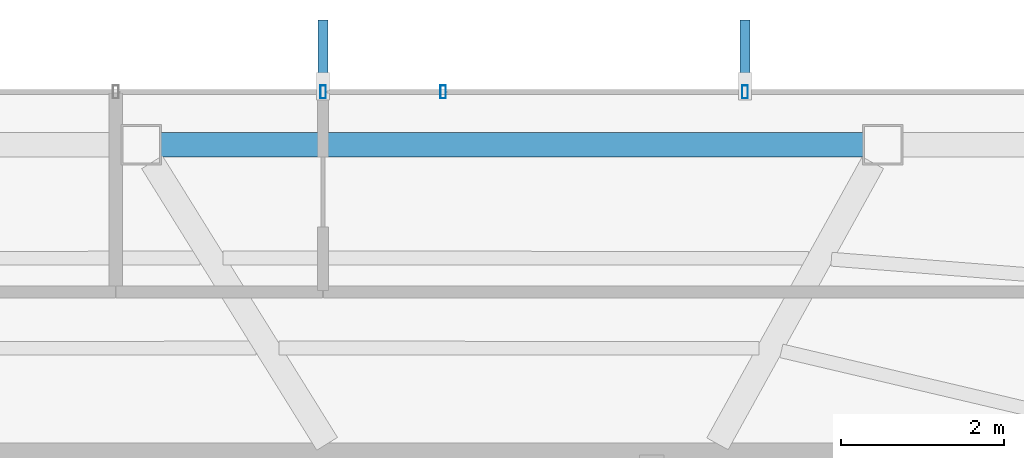
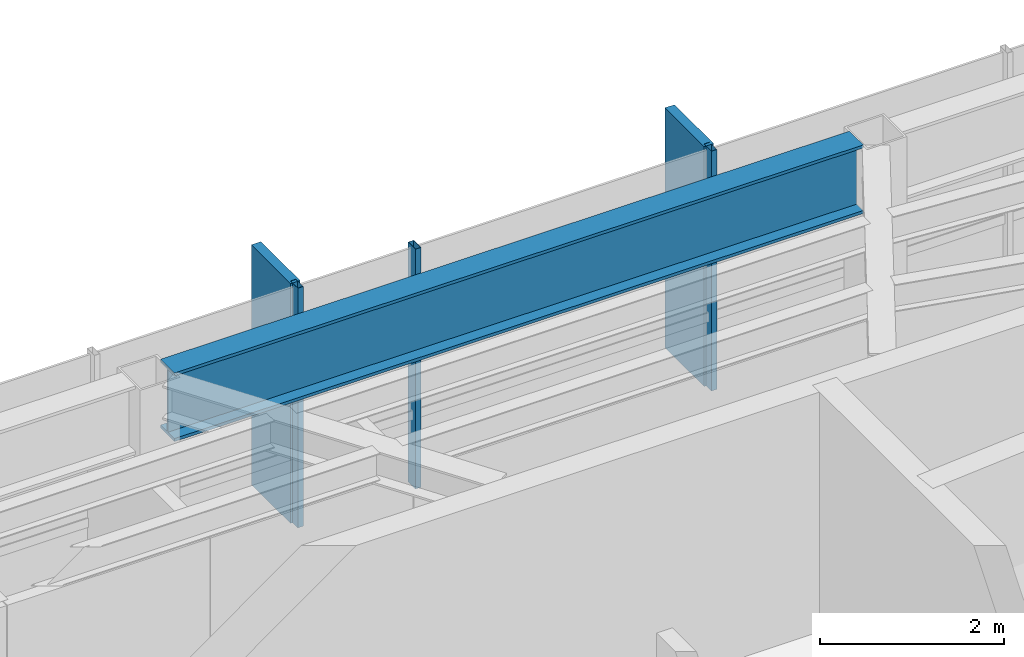
# One storey, part 14 of 25: 5 members, 1 beam, 1 element without a shape of its own.
"""IFC4 building model written with IfcOpenShell, lengths in metres."""

import ifcopenshell
import ifcopenshell.guid

model = None  # the IFC model being written
_history = None  # IfcOwnerHistory: only IFC2X3 demands one
_inside = {}  # id of a spatial element -> (the spatial element, [elements in it])
_under = {}  # id of a project, library or spatial element -> (it, [spatial elements below it])
_declared = {}  # id of a project -> (the project, [libraries it declares])
_typed = {}  # id of a type object -> (the type object, [elements of that type])
_made_of = {}  # id of a material, layer set ... -> (it, [elements and type objects made of it])


def new_model(schema):
    """Start an empty IFC model of exactly this schema.

    Asked for "IFC4X3", IfcOpenShell would pick the latest addendum, in which some entities
    have other attributes; the version numbers below select the first issue.
    IFC2X3 requires an IfcOwnerHistory on every rooted entity: one is made here for all.
    """
    global model, _history
    if schema == "IFC4X3":
        model = ifcopenshell.file(schema_version=(4, 3, 0, 0))
    else:
        model = ifcopenshell.file(schema=schema)
    _inside.clear()
    _under.clear()
    _declared.clear()
    _typed.clear()
    _made_of.clear()
    _history = None
    if model.schema == "IFC2X3":
        org = make("IfcOrganization", Name="unknown")
        user = make(
            "IfcPersonAndOrganization",
            ThePerson=make("IfcPerson", FamilyName="unknown"),
            TheOrganization=org,
        )
        app = make(
            "IfcApplication",
            ApplicationDeveloper=org,
            Version="unknown",
            ApplicationFullName="unknown",
            ApplicationIdentifier="unknown",
        )
        _history = make(
            "IfcOwnerHistory",
            OwningUser=user,
            OwningApplication=app,
            ChangeAction="ADDED",
            CreationDate=0,
        )
    return model


def make(cls, **values):
    """One entity of the class cls with the attributes given. An attribute that is None is left unset."""
    return model.create_entity(
        cls, **{name: value for name, value in values.items() if value is not None}
    )


def rooted(cls, **values):
    """An entity with a GlobalId (a new one), such as an element, a storey or a relation."""
    return make(cls, GlobalId=ifcopenshell.guid.new(), OwnerHistory=_history, **values)


def si_unit(unit_type, name, prefix=None):
    """IfcSIUnit, for example si_unit("LENGTHUNIT", "METRE", prefix="MILLI")."""
    return make("IfcSIUnit", UnitType=unit_type, Prefix=prefix, Name=name)


def assignment(units):
    """IfcUnitAssignment: the units of a project."""
    return None if units is None else make("IfcUnitAssignment", Units=units)


def point(xyz):
    """IfcCartesianPoint."""
    return None if xyz is None else make("IfcCartesianPoint", Coordinates=xyz)


def direction(xyz):
    """IfcDirection."""
    return None if xyz is None else make("IfcDirection", DirectionRatios=xyz)


def frame(location, z_axis=None, x_axis=None):
    """IfcAxis2Placement3D, a coordinate frame: its origin and axes. An axis left out is left unset."""
    return make(
        "IfcAxis2Placement3D",
        Location=point(location),
        Axis=direction(z_axis),
        RefDirection=direction(x_axis),
    )


def frame_2d(location, x_axis=None):
    """IfcAxis2Placement2D, a coordinate frame in the plane: its origin and x axis."""
    return make(
        "IfcAxis2Placement2D", Location=point(location), RefDirection=direction(x_axis)
    )


def origin():
    """The frame at (0, 0, 0) with its axes left unset."""
    return frame((0.0, 0.0, 0.0))


def origin_2d():
    """The frame at (0, 0) in the plane with its x axis left unset."""
    return frame_2d((0.0, 0.0))


def place(relative_to, where):
    """IfcLocalPlacement: puts the frame where relative to a parent placement (None: the world)."""
    return make(
        "IfcLocalPlacement", PlacementRelTo=relative_to, RelativePlacement=where
    )


def context(
    kind, dimensions, precision=None, world=None, true_north=None, identifier=None
):
    """IfcGeometricRepresentationContext, for example the 3D "Model" context."""
    return make(
        "IfcGeometricRepresentationContext",
        ContextIdentifier=identifier,
        ContextType=kind,
        CoordinateSpaceDimension=dimensions,
        Precision=precision,
        WorldCoordinateSystem=world,
        TrueNorth=true_north,
    )


def subcontext(parent, identifier, kind, view, scale=None):
    """IfcGeometricRepresentationSubContext, for example "Body" below "Model"."""
    return make(
        "IfcGeometricRepresentationSubContext",
        ContextIdentifier=identifier,
        ContextType=kind,
        ParentContext=parent,
        TargetScale=scale,
        TargetView=view,
    )


def project(units=None, contexts=None):
    """IfcProject with its units and contexts."""
    return rooted(
        "IfcProject",
        Name="project",
        RepresentationContexts=contexts,
        UnitsInContext=assignment(units),
    )


def spatial(cls, under=None, at=None, **own):
    """A site, building, storey or space (cls), placed at a placement, below another one or the project."""
    s = rooted(cls, ObjectPlacement=at, **own)
    if under is not None:
        _under.setdefault(under.id(), (under, []))[1].append(s)
    return s


def profile(cls, at=None, kind="AREA", **sizes):
    """A parametric profile (cls). Its sizes go by their IFC names, for example OverallWidth=200.0."""
    return make(cls, ProfileType=kind, Position=at, **sizes)


def rectangle(**sizes):
    """IfcRectangleProfileDef."""
    return profile("IfcRectangleProfileDef", **sizes)


def hollow_rectangle(**sizes):
    """IfcRectangleHollowProfileDef."""
    return profile("IfcRectangleHollowProfileDef", **sizes)


def i_section(**sizes):
    """IfcIShapeProfileDef."""
    return profile("IfcIShapeProfileDef", **sizes)


def extrude(swept, where, along, depth):
    """IfcExtrudedAreaSolid: the profile swept, set in the frame where, extruded along a direction by depth."""
    return make(
        "IfcExtrudedAreaSolid",
        SweptArea=swept,
        Position=where,
        ExtrudedDirection=direction(along),
        Depth=depth,
    )


def shape(context_of_items, identifier, shape_type, items):
    """IfcShapeRepresentation: the items that make up one representation, for example the "Body"."""
    return make(
        "IfcShapeRepresentation",
        ContextOfItems=context_of_items,
        RepresentationIdentifier=identifier,
        RepresentationType=shape_type,
        Items=items,
    )


def material(Name=None, Category=None):
    """IfcMaterial."""
    return make("IfcMaterial", Name=Name, Category=Category)


def layer(
    of_material, thickness, ventilated=None, Name=None, Category=None, Priority=None
):
    """IfcMaterialLayer: one layer of a wall or slab, of a material (None: an air gap)."""
    return make(
        "IfcMaterialLayer",
        Material=of_material,
        LayerThickness=thickness,
        IsVentilated=ventilated,
        Name=Name,
        Category=Category,
        Priority=Priority,
    )


def layer_set(layers, Name=None):
    """IfcMaterialLayerSet."""
    return make("IfcMaterialLayerSet", MaterialLayers=layers, LayerSetName=Name)


def material_profile(
    of_material, cross_section, Name=None, Category=None, Priority=None
):
    """IfcMaterialProfile: a cross section and its material."""
    return make(
        "IfcMaterialProfile",
        Name=Name,
        Material=of_material,
        Profile=cross_section,
        Priority=Priority,
        Category=Category,
    )


def profile_set(profiles, Name=None, composite=None):
    """IfcMaterialProfileSet."""
    return make(
        "IfcMaterialProfileSet",
        Name=Name,
        MaterialProfiles=profiles,
        CompositeProfile=composite,
    )


def made_of(thing, what):
    """Note that an element or type object is made of a material, layer set ...; save() writes the relation."""
    if what is not None:
        _made_of.setdefault(what.id(), (what, []))[1].append(thing)
    return thing


def type_object(cls, material=None, **own):
    """A type object (cls), such as IfcWallType, which elements share."""
    return made_of(rooted(cls, **own), material)


def element(
    cls,
    number,
    at=None,
    inside=None,
    cuts=None,
    type_object=None,
    material=None,
    context=None,
    identifier="Body",
    shape_type=None,
    held_by="IfcProductDefinitionShape",
    body=None,
    shapes=None,
    **own,
):
    """One element of the class cls, such as IfcWall. Its Tag is "e" and its number.

    at: its placement. inside: the storey or other place that contains it. cuts: it is an
    opening in that element (IfcRelVoidsElement). A single representation is given by context,
    identifier, shape_type and body (its items); several are given by shapes. held_by: the class
    of the entity that holds the representations. save() writes the other relations.
    """
    e = rooted(cls, Tag="e%d" % number, ObjectPlacement=at, **own)
    if body is not None:
        shapes = [shape(context, identifier, shape_type, body)]
    if shapes is not None:
        e.Representation = make(held_by, Representations=shapes)
    if inside is not None:
        _inside.setdefault(inside.id(), (inside, []))[1].append(e)
    if cuts is not None:
        rooted(
            "IfcRelVoidsElement", RelatingBuildingElement=cuts, RelatedOpeningElement=e
        )
    if type_object is not None:
        _typed.setdefault(type_object.id(), (type_object, []))[1].append(e)
    return made_of(e, material)


def aggregate(whole, parts):
    """IfcRelAggregates: a whole, such as a stair, and the parts it consists of."""
    return rooted("IfcRelAggregates", RelatingObject=whole, RelatedObjects=parts)


def save(model, path):
    """Write the relations noted so far, then the file.

    IfcRelAggregates (storeys below a building ...), IfcRelContainedInSpatialStructure (elements
    in a storey), IfcRelDefinesByType, IfcRelAssociatesMaterial and IfcRelDeclares: one each for
    every whole, place, type object, material and project.
    """
    for whole, parts in _under.values():
        aggregate(whole, parts)
    for where, things in _inside.values():
        rooted(
            "IfcRelContainedInSpatialStructure",
            RelatedElements=things,
            RelatingStructure=where,
        )
    for kind, things in _typed.values():
        rooted("IfcRelDefinesByType", RelatedObjects=things, RelatingType=kind)
    for what, things in _made_of.values():
        rooted("IfcRelAssociatesMaterial", RelatedObjects=things, RelatingMaterial=what)
    for by, libraries in _declared.values():
        rooted("IfcRelDeclares", RelatingContext=by, RelatedDefinitions=libraries)
    model.write(path)


model = new_model("IFC4")

# Units and contexts
model_context = context("Model", 3, precision=1e-05, world=origin(), true_north=direction((0.0, 1.0)))
body_context = subcontext(model_context, "Body", "Model", "MODEL_VIEW")
ifc_project = project(units=[si_unit("LENGTHUNIT", "METRE"), si_unit("AREAUNIT", "SQUARE_METRE"), si_unit("VOLUMEUNIT", "CUBIC_METRE"), si_unit("PLANEANGLEUNIT", "RADIAN"), si_unit("MASSUNIT", "GRAM", prefix="KILO")], contexts=[model_context])

# Site, building, storey
site_placement = place(None, origin())
site = spatial("IfcSite", under=ifc_project, at=site_placement, CompositionType="ELEMENT")
building_placement = place(site_placement, origin())
building = spatial("IfcBuilding", under=site, at=building_placement, Name="Zarrinselat Tower", CompositionType="ELEMENT")
storey_placement = place(building_placement, frame((0.0, 0.0, 261.800048828125)))
storey = spatial("IfcBuildingStorey", under=building, at=storey_placement, Name="L66", CompositionType="ELEMENT", Elevation=261.800048828125)

# Beam
ifc_material_1 = material(Name="Steel S460M", Category="steel")
ifc_material_profile_1 = material_profile(ifc_material_1, i_section(OverallWidth=0.302001953125, OverallDepth=0.909912109375, WebThickness=0.02099609375, FlangeThickness=0.0400390625, at=origin_2d()), Name="HEM 900")
ifc_profile_set_1 = profile_set([ifc_material_profile_1], Name="Steel S460M")
beam_type = type_object("IfcBeamType", Name="BM-HEM900", PredefinedType="BEAM", material=ifc_profile_set_1)
beam_placement = place(storey_placement, frame((38.951904296875, 47.216796875, 2.724853515625), z_axis=(1.0, 0.0, 0.0), x_axis=(0.0, 1.0, 0.0)))
element("IfcBeam", 1, at=beam_placement, inside=storey, type_object=beam_type, Name="L66 Perimeter Spandrel Girder SP02", PredefinedType="BEAM", context=body_context, shape_type="SweptSolid", body=[
    extrude(i_section(OverallWidth=0.302001953125, OverallDepth=0.909912109375, WebThickness=0.02099609375, FlangeThickness=0.0400390625, at=origin_2d()), origin(), (0.0, 0.0, 1.0), 8.642822265625),
])

# Curtain wall, members
ifc_material_2 = material(Name="Extruded Aluminium Alloy EN AW-6063 T6", Category="aluminium")
ifc_layer = layer(ifc_material_2, 0.169921875)
ifc_layer_set = layer_set([ifc_layer], Name="Extruded Aluminium Alloy EN AW-6063 T6")
curtain_wall_type = type_object("IfcCurtainWallType", Name="CWS-RES", PredefinedType="NOTDEFINED", material=ifc_layer_set)
curtain_wall_placement = place(storey_placement, origin())
curtain_wall = element("IfcCurtainWall", 2, at=curtain_wall_placement, inside=storey, type_object=curtain_wall_type, Name="L66 Unitised Curtain Wall CW-L66-E01", PredefinedType="NOTDEFINED")
ifc_material_3 = material(Name="Extruded Aluminium Alloy EN AW-6063 T6", Category="aluminium")
ifc_material_profile_2 = material_profile(ifc_material_3, hollow_rectangle(XDim=0.070068359375, YDim=0.159912109375, WallThickness=0.00390625, at=origin_2d()), Name="RHS 160x70x4")
ifc_profile_set_2 = profile_set([ifc_material_profile_2], Name="Extruded Aluminium Alloy EN AW-6063 T6")
member_type_1 = type_object("IfcMemberType", Name="MEM-CW-MUL2", PredefinedType="MULLION", material=ifc_profile_set_2)
member_1_placement = place(storey_placement, frame((46.13818359375, 47.86669921875, 0.0), z_axis=(0.0, 0.0, 1.0), x_axis=(-1.0, 0.0, 0.0)))
member_1 = element("IfcMember", 3, at=member_1_placement, type_object=member_type_1, Name="CW-L66-E01 Mullion 3", PredefinedType="MULLION", context=body_context, shape_type="SweptSolid", body=[
    extrude(hollow_rectangle(XDim=0.070068359375, YDim=0.159912109375, WallThickness=0.00390625, at=origin_2d()), origin(), (0.0, 0.0, 1.0), 3.179931640625),
])
member_2_placement = place(storey_placement, frame((42.426025390625, 47.86669921875, 0.0), z_axis=(0.0, 0.0, 1.0), x_axis=(-1.0, 0.0, 0.0)))
member_2 = element("IfcMember", 4, at=member_2_placement, type_object=member_type_1, Name="CW-L66-E01 Mullion 4", PredefinedType="MULLION", context=body_context, shape_type="SweptSolid", body=[
    extrude(hollow_rectangle(XDim=0.070068359375, YDim=0.159912109375, WallThickness=0.00390625, at=origin_2d()), origin(), (0.0, 0.0, 1.0), 3.179931640625),
])
member_3_placement = place(storey_placement, frame((40.949951171875, 47.86669921875, 0.0), z_axis=(0.0, 0.0, 1.0), x_axis=(-1.0, 0.0, 0.0)))
member_3 = element("IfcMember", 5, at=member_3_placement, type_object=member_type_1, Name="CW-L66-E01 Mullion 5", PredefinedType="MULLION", context=body_context, shape_type="SweptSolid", body=[
    extrude(hollow_rectangle(XDim=0.070068359375, YDim=0.159912109375, WallThickness=0.00390625, at=origin_2d()), origin(), (0.0, 0.0, 1.0), 3.179931640625),
])
ifc_material_4 = material(Name="Honed Cream Travertine Stone", Category="masonry")
ifc_material_profile_3 = material_profile(ifc_material_4, rectangle(XDim=0.1201171875, YDim=0.85009765625, at=origin_2d()), Name="FIN 850x120")
ifc_profile_set_3 = profile_set([ifc_material_profile_3], Name="Honed Cream Travertine Stone")
member_type_2 = type_object("IfcMemberType", Name="MEM-STONE-FIN", PredefinedType="USERDEFINED", material=ifc_profile_set_3)
member_4_placement = place(storey_placement, frame((46.13818359375, 48.32666015625, 0.0), z_axis=(0.0, 0.0, 1.0), x_axis=(1.0, 0.0, 0.0)))
member_4 = element("IfcMember", 6, at=member_4_placement, type_object=member_type_2, Name="L66 Stone Shading Fin CW-L66-E01-03", ObjectType="FIN", PredefinedType="USERDEFINED", context=body_context, shape_type="SweptSolid", body=[
    extrude(rectangle(XDim=0.1201171875, YDim=0.85009765625, at=origin_2d()), origin(), (0.0, 0.0, 1.0), 3.179931640625),
])
member_5_placement = place(storey_placement, frame((40.949951171875, 48.32666015625, 0.0), z_axis=(0.0, 0.0, 1.0), x_axis=(1.0, 0.0, 0.0)))
member_5 = element("IfcMember", 7, at=member_5_placement, type_object=member_type_2, Name="L66 Stone Shading Fin CW-L66-E01-05", ObjectType="FIN", PredefinedType="USERDEFINED", context=body_context, shape_type="SweptSolid", body=[
    extrude(rectangle(XDim=0.1201171875, YDim=0.85009765625, at=origin_2d()), origin(), (0.0, 0.0, 1.0), 3.179931640625),
])
aggregate(curtain_wall, [member_1, member_4, member_2, member_3, member_5])

save(model, "model.ifc")
